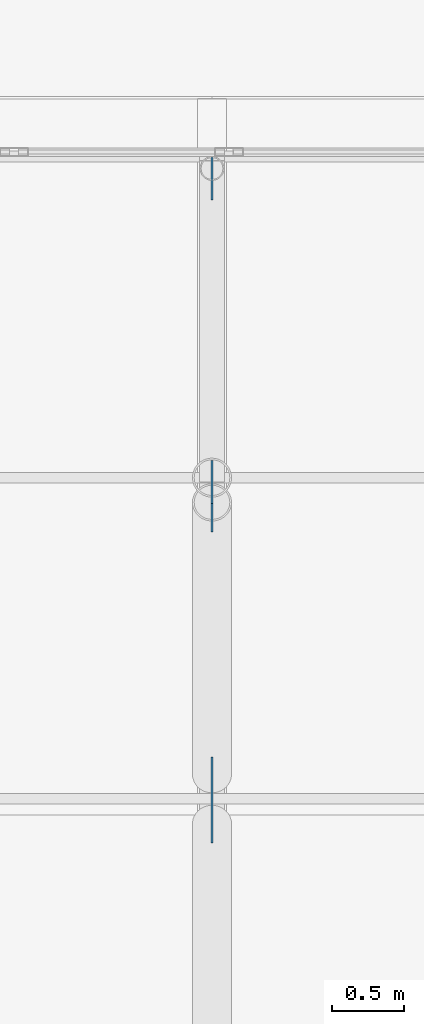
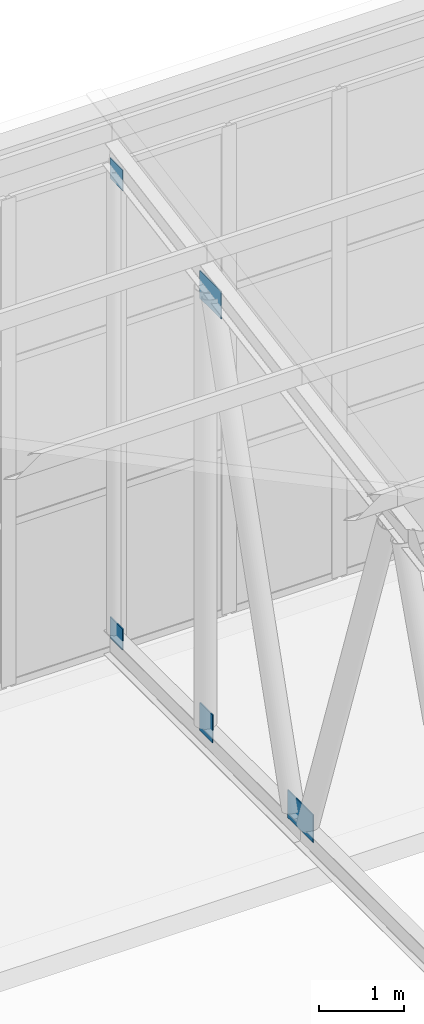
# One storey, part 153 of 185: 5 discrete accessories.
"""IFC4 building model written with IfcOpenShell, lengths in metres."""

from ifc_helpers import new_model, si_unit, direction, frame, origin, origin_2d, place, context, subcontext, project, spatial, rectangle, extrude, material, layer, layer_set, type_object, element, save


model = new_model("IFC4")

# Units and contexts
model_context = context("Model", 3, precision=1e-05, world=origin(), true_north=direction((0.0, 1.0)))
body_context = subcontext(model_context, "Body", "Model", "MODEL_VIEW")
ifc_project = project(units=[si_unit("LENGTHUNIT", "METRE"), si_unit("AREAUNIT", "SQUARE_METRE"), si_unit("VOLUMEUNIT", "CUBIC_METRE"), si_unit("PLANEANGLEUNIT", "RADIAN"), si_unit("MASSUNIT", "GRAM", prefix="KILO")], contexts=[model_context])

# Site, building, storey
site_placement = place(None, origin())
site = spatial("IfcSite", under=ifc_project, at=site_placement, CompositionType="ELEMENT")
building_placement = place(site_placement, origin())
building = spatial("IfcBuilding", under=site, at=building_placement, Name="Opaline Strait Convention Centre", CompositionType="ELEMENT")
storey_placement = place(building_placement, frame((0.0, 0.0, 6.0)))
storey = spatial("IfcBuildingStorey", under=building, at=storey_placement, Name="L01", CompositionType="ELEMENT", Elevation=6.0)

# Discrete accessories
ifc_material = material(Name="Steel Q355B", Category="steel")
ifc_layer_1 = layer(ifc_material, 0.014892578125)
ifc_layer_set_1 = layer_set([ifc_layer_1], Name="Steel Q355B")
discrete_accessory_type_1 = type_object("IfcDiscreteAccessoryType", Name="Truss node plate 300 x 300 x 15", PredefinedType="USERDEFINED", material=ifc_layer_set_1)
for number, where, z_axis, x_axis, name in (
    (1, (323.8857421875, 62.7451171875, 4.544921875), (0.0, 0.0, 1.0), (1.0, 0.0, 0.0), "BNP5 truss node plate line 5 bottom node"),
    (2, (323.8857421875, 62.7451171875, 11.1552734375), (0.0, 0.0, 1.0), (1.0, 0.0, 0.0), "BNP5 truss node plate line 5 top node"),
):
    element("IfcDiscreteAccessory", number, at=place(storey_placement, frame(where, z_axis=z_axis, x_axis=x_axis)), inside=storey, type_object=discrete_accessory_type_1, Name=name, ObjectType="NODE HUB", PredefinedType="USERDEFINED", context=body_context, shape_type="SweptSolid", body=[
        extrude(rectangle(XDim=0.014892578125, YDim=0.300048828125, at=origin_2d()), origin(), (0.0, 0.0, 1.0), 0.300048828125),
    ])
ifc_layer_2 = layer(ifc_material, 0.014892578125)
ifc_layer_set_2 = layer_set([ifc_layer_2], Name="Steel Q355B")
discrete_accessory_type_2 = type_object("IfcDiscreteAccessoryType", Name="Truss node plate 300 x 400 x 15", PredefinedType="USERDEFINED", material=ifc_layer_set_2)
discrete_accessory_1_placement = place(storey_placement, frame((323.8857421875, 60.626220703125, 4.4951171875), z_axis=(0.0, 0.0, 1.0), x_axis=(1.0, 0.0, 0.0)))
element("IfcDiscreteAccessory", 3, at=discrete_accessory_1_placement, inside=storey, type_object=discrete_accessory_type_2, Name="BNP4 truss node plate line 5 bottom node", ObjectType="NODE HUB", PredefinedType="USERDEFINED", context=body_context, shape_type="SweptSolid", body=[
    extrude(rectangle(XDim=0.014892578125, YDim=0.300048828125, at=origin_2d()), origin(), (0.0, 0.0, 1.0), 0.39990234375),
])
ifc_layer_3 = layer(ifc_material, 0.014892578125)
ifc_layer_set_3 = layer_set([ifc_layer_3], Name="Steel Q355B")
discrete_accessory_type_3 = type_object("IfcDiscreteAccessoryType", Name="Truss node plate 500 x 400 x 15", PredefinedType="USERDEFINED", material=ifc_layer_set_3)
discrete_accessory_2_placement = place(storey_placement, frame((323.8857421875, 60.5263671875, 10.7138671875), z_axis=(0.0, 0.0, 1.0), x_axis=(1.0, 0.0, 0.0)))
element("IfcDiscreteAccessory", 4, at=discrete_accessory_2_placement, inside=storey, type_object=discrete_accessory_type_3, Name="BNP7 truss node plate line 5 top node", ObjectType="NODE HUB", PredefinedType="USERDEFINED", context=body_context, shape_type="SweptSolid", body=[
    extrude(rectangle(XDim=0.014892578125, YDim=0.5, at=origin_2d()), origin(), (0.0, 0.0, 1.0), 0.39990234375),
])
ifc_layer_4 = layer(ifc_material, 0.014892578125)
ifc_layer_set_4 = layer_set([ifc_layer_4], Name="Steel Q355B")
discrete_accessory_type_4 = type_object("IfcDiscreteAccessoryType", Name="Truss node plate 600 x 400 x 15", PredefinedType="USERDEFINED", material=ifc_layer_set_4)
discrete_accessory_3_placement = place(storey_placement, frame((323.8857421875, 58.4052734375, 4.4951171875), z_axis=(0.0, 0.0, 1.0), x_axis=(1.0, 0.0, 0.0)))
element("IfcDiscreteAccessory", 5, at=discrete_accessory_3_placement, inside=storey, type_object=discrete_accessory_type_4, Name="BNP3 truss node plate line 5 bottom node", ObjectType="NODE HUB", PredefinedType="USERDEFINED", context=body_context, shape_type="SweptSolid", body=[
    extrude(rectangle(XDim=0.014892578125, YDim=0.60009765625, at=origin_2d()), origin(), (0.0, 0.0, 1.0), 0.39990234375),
])

save(model, "model.ifc")
